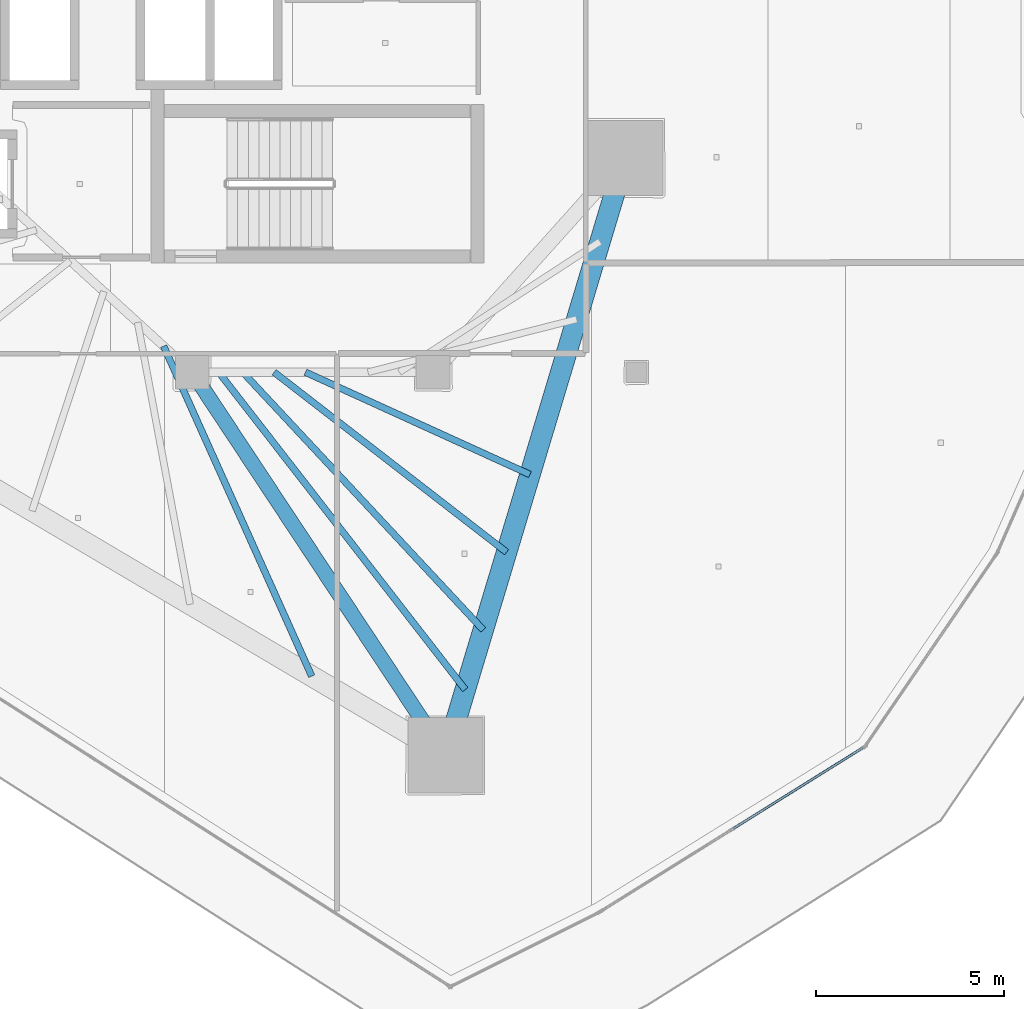
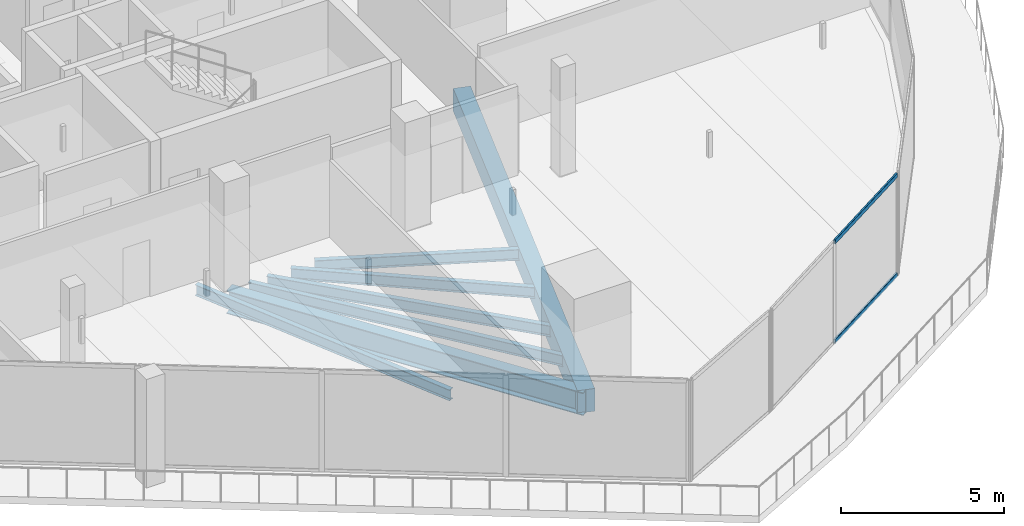
# One storey, part 10 of 36: 7 beams, 2 members, 1 element without a shape of its own.
"""IFC4 building model written with IfcOpenShell, lengths in metres."""

from ifc_helpers import new_model, si_unit, direction, frame, origin, origin_2d, place, context, subcontext, project, spatial, rectangle, hollow_rectangle, i_section, extrude, material, layer, layer_set, material_profile, profile_set, type_object, element, aggregate, save


model = new_model("IFC4")

# Units and contexts
model_context = context("Model", 3, precision=1e-05, world=origin(), true_north=direction((0.0, 1.0)))
body_context = subcontext(model_context, "Body", "Model", "MODEL_VIEW")
ifc_project = project(units=[si_unit("LENGTHUNIT", "METRE"), si_unit("AREAUNIT", "SQUARE_METRE"), si_unit("VOLUMEUNIT", "CUBIC_METRE"), si_unit("PLANEANGLEUNIT", "RADIAN"), si_unit("MASSUNIT", "GRAM", prefix="KILO")], contexts=[model_context])

# Site, building, storey
site_placement = place(None, origin())
site = spatial("IfcSite", under=ifc_project, at=site_placement, CompositionType="ELEMENT")
building_placement = place(site_placement, origin())
building = spatial("IfcBuilding", under=site, at=building_placement, Name="Qorvath Tower", CompositionType="ELEMENT")
storey_placement = place(building_placement, frame((0.0, 0.0, 205.050048828125)))
storey = spatial("IfcBuildingStorey", under=building, at=storey_placement, Name="L47", CompositionType="ELEMENT", Elevation=205.050048828125)

# Beams
ifc_material_1 = material(Name="Steel ASTM A992 Grade 50", Category="steel")
ifc_material_profile_1 = material_profile(ifc_material_1, i_section(OverallWidth=0.39892578125, OverallDepth=0.85498046875, WebThickness=0.018310546875, FlangeThickness=0.029296875, FilletRadius=0.02001953125, at=origin_2d()), Name="W33x201")
ifc_profile_set_1 = profile_set([ifc_material_profile_1], Name="Steel ASTM A992 Grade 50")
beam_type_1 = type_object("IfcBeamType", Name="BM-FG2", PredefinedType="BEAM", material=ifc_profile_set_1)
beam_1_placement = place(storey_placement, frame((-23.60009765625, -11.449951171875, -0.697509765625), z_axis=(0.551500517741, -0.834174549439, 0.0), x_axis=(0.834174549439, 0.551500517741, 0.0)))
element("IfcBeam", 1, at=beam_1_placement, inside=storey, type_object=beam_type_1, Name="Radial Floor Girder CC4-MC3 L47", PredefinedType="BEAM", context=body_context, shape_type="SweptSolid", body=[
    extrude(i_section(OverallWidth=0.39892578125, OverallDepth=0.85498046875, WebThickness=0.018310546875, FlangeThickness=0.029296875, FilletRadius=0.02001953125, at=origin_2d()), origin(), (0.0, 0.0, 1.0), 12.200439453125),
])
ifc_material_2 = material(Name="Steel ASTM A992 Grade 50", Category="steel")
ifc_material_profile_2 = material_profile(ifc_material_2, i_section(OverallWidth=0.177978515625, OverallDepth=0.406005859375, WebThickness=0.0078125, FlangeThickness=0.0126953125, FilletRadius=0.010986328125, at=origin_2d()), Name="W16x40")
ifc_profile_set_2 = profile_set([ifc_material_profile_2], Name="Steel ASTM A992 Grade 50")
beam_type_2 = type_object("IfcBeamType", Name="BM-FJ3", PredefinedType="JOIST", material=ifc_profile_set_2)
beam_2_placement = place(storey_placement, frame((-20.592041015625, -11.449951171875, -0.47314453125), z_axis=(0.909945081179, -0.414728765868, 0.0), x_axis=(0.414728765868, 0.909945081179, 0.0)))
element("IfcBeam", 2, at=beam_2_placement, inside=storey, type_object=beam_type_2, Name="Composite Floor Joist SE4 L47", PredefinedType="JOIST", context=body_context, shape_type="SweptSolid", body=[
    extrude(i_section(OverallWidth=0.177978515625, OverallDepth=0.406005859375, WebThickness=0.0078125, FlangeThickness=0.0126953125, FilletRadius=0.010986328125, at=origin_2d()), origin(), (0.0, 0.0, 1.0), 6.554931640625),
])
beam_3_placement = place(storey_placement, frame((-21.424072265625, -11.449951171875, -0.47314453125), z_axis=(0.790693445503, -0.612212279555, 0.0), x_axis=(0.612212279555, 0.790693445503, 0.0)))
element("IfcBeam", 3, at=beam_3_placement, inside=storey, type_object=beam_type_2, Name="Composite Floor Joist SE5 L47", PredefinedType="JOIST", context=body_context, shape_type="SweptSolid", body=[
    extrude(i_section(OverallWidth=0.177978515625, OverallDepth=0.406005859375, WebThickness=0.0078125, FlangeThickness=0.0126953125, FilletRadius=0.010986328125, at=origin_2d()), origin(), (0.0, 0.0, 1.0), 7.810546875),
])
beam_4_placement = place(storey_placement, frame((-22.256103515625, -11.449951171875, -0.47314453125), z_axis=(0.682249490937, -0.731119437654, 0.0), x_axis=(0.731119437654, 0.682249490937, 0.0)))
element("IfcBeam", 4, at=beam_4_placement, inside=storey, type_object=beam_type_2, Name="Composite Floor Joist SE6 L47", PredefinedType="JOIST", context=body_context, shape_type="SweptSolid", body=[
    extrude(i_section(OverallWidth=0.177978515625, OverallDepth=0.406005859375, WebThickness=0.0078125, FlangeThickness=0.0126953125, FilletRadius=0.010986328125, at=origin_2d()), origin(), (0.0, 0.0, 1.0), 9.362060546875),
])
beam_5_placement = place(storey_placement, frame((-22.89599609375, -11.449951171875, -0.47314453125), z_axis=(0.61345131907, -0.789732536452, 0.0), x_axis=(0.789732536452, 0.61345131907, 0.0)))
element("IfcBeam", 5, at=beam_5_placement, inside=storey, type_object=beam_type_2, Name="Composite Floor Joist SE7 L47", PredefinedType="JOIST", context=body_context, shape_type="SweptSolid", body=[
    extrude(i_section(OverallWidth=0.177978515625, OverallDepth=0.406005859375, WebThickness=0.0078125, FlangeThickness=0.0126953125, FilletRadius=0.010986328125, at=origin_2d()), origin(), (0.0, 0.0, 1.0), 10.676513671875),
])
beam_6_placement = place(storey_placement, frame((-24.35888671875, -10.757080078125, -0.47314453125), z_axis=(0.409327209141, -0.912387656568, 0.0), x_axis=(0.912387656568, 0.409327209141, 0.0)))
element("IfcBeam", 6, at=beam_6_placement, inside=storey, type_object=beam_type_2, Name="Composite Floor Joist SW7 L47", PredefinedType="JOIST", context=body_context, shape_type="SweptSolid", body=[
    extrude(i_section(OverallWidth=0.177978515625, OverallDepth=0.406005859375, WebThickness=0.0078125, FlangeThickness=0.0126953125, FilletRadius=0.010986328125, at=origin_2d()), origin(), (0.0, 0.0, 1.0), 9.611083984375),
])
ifc_material_3 = material(Name="Concrete C50/60", Category="concrete")
ifc_material_profile_3 = material_profile(ifc_material_3, rectangle(XDim=0.550048828125, YDim=0.85009765625, at=origin_2d()), Name="RCB 850x550")
ifc_profile_set_3 = profile_set([ifc_material_profile_3], Name="Concrete C50/60")
beam_type_3 = type_object("IfcBeamType", Name="BM-RCB2", PredefinedType="SPANDREL", material=ifc_profile_set_3)
beam_7_placement = place(storey_placement, frame((-16.87158203125, -21.627197265625, -0.695068359375), z_axis=(0.28812763802, 0.957592013443, 0.0), x_axis=(-0.957592013443, 0.28812763802, 0.0)))
element("IfcBeam", 7, at=beam_7_placement, inside=storey, type_object=beam_type_3, Name="Perimeter Loggia Frame Beam MC3-MC4 L47", PredefinedType="SPANDREL", context=body_context, shape_type="SweptSolid", body=[
    extrude(rectangle(XDim=0.550048828125, YDim=0.85009765625, at=origin_2d()), origin(), (0.0, 0.0, 1.0), 16.572265625),
])

# Curtain wall, members
ifc_material_4 = material(Name="Anodised aluminium and triple low-E glass", Category="aluminium")
ifc_layer = layer(ifc_material_4, 0.179931640625)
ifc_layer_set = layer_set([ifc_layer], Name="CW-SYS-3")
curtain_wall_type = type_object("IfcCurtainWallType", Name="CW-SYS-3", PredefinedType="NOTDEFINED", material=ifc_layer_set)
curtain_wall_placement = place(storey_placement, origin())
curtain_wall = element("IfcCurtainWall", 8, at=curtain_wall_placement, inside=storey, type_object=curtain_wall_type, Name="Curtain Wall CW-3 CW-T-L47-4.1", PredefinedType="NOTDEFINED")
ifc_material_5 = material(Name="Anodised aluminium 6063-T6", Category="aluminium")
ifc_material_profile_4 = material_profile(ifc_material_5, hollow_rectangle(XDim=0.06494140625, YDim=0.159912109375, WallThickness=0.00341796875, InnerFilletRadius=0.00341796875, OuterFilletRadius=0.007080078125, at=origin_2d()), Name="CWT 160x65")
ifc_profile_set_4 = profile_set([ifc_material_profile_4], Name="Anodised aluminium 6063-T6")
member_type = type_object("IfcMemberType", Name="CWT-160", PredefinedType="USERDEFINED", material=ifc_profile_set_4)
member_1_placement = place(storey_placement, frame((-9.225830078125, -23.573486328125, 0.032470703125), z_axis=(0.848485179469, 0.529219141964, 0.0), x_axis=(-0.529219141964, 0.848485179469, 0.0)))
member_1 = element("IfcMember", 9, at=member_1_placement, type_object=member_type, Name="CW-3 transom 2.1", ObjectType="TRANSOM", PredefinedType="USERDEFINED", context=body_context, shape_type="SweptSolid", body=[
    extrude(hollow_rectangle(XDim=0.06494140625, YDim=0.159912109375, WallThickness=0.00341796875, InnerFilletRadius=0.00341796875, OuterFilletRadius=0.007080078125, at=origin_2d()), origin(), (0.0, 0.0, 1.0), 4.0537109375),
])
member_2_placement = place(storey_placement, frame((-9.225830078125, -23.573486328125, 3.74755859375), z_axis=(0.848485179469, 0.529219141964, 0.0), x_axis=(-0.529219141964, 0.848485179469, 0.0)))
member_2 = element("IfcMember", 10, at=member_2_placement, type_object=member_type, Name="CW-3 transom 2.2", ObjectType="TRANSOM", PredefinedType="USERDEFINED", context=body_context, shape_type="SweptSolid", body=[
    extrude(hollow_rectangle(XDim=0.06494140625, YDim=0.159912109375, WallThickness=0.00341796875, InnerFilletRadius=0.00341796875, OuterFilletRadius=0.007080078125, at=origin_2d()), origin(), (0.0, 0.0, 1.0), 4.0537109375),
])
aggregate(curtain_wall, [member_1, member_2])

save(model, "model.ifc")
